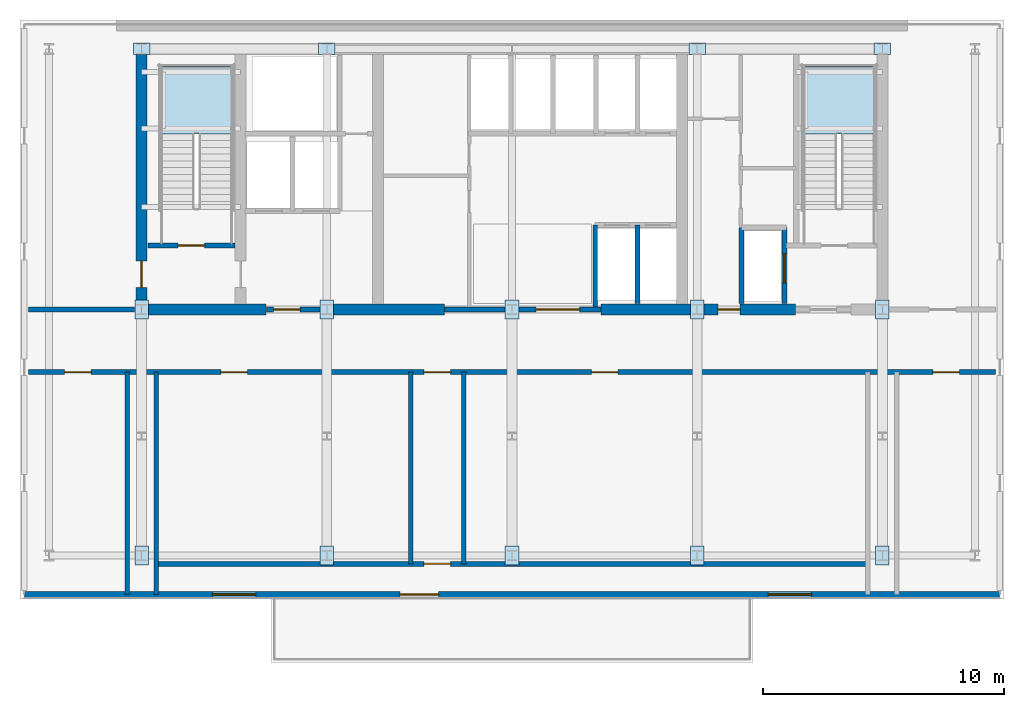
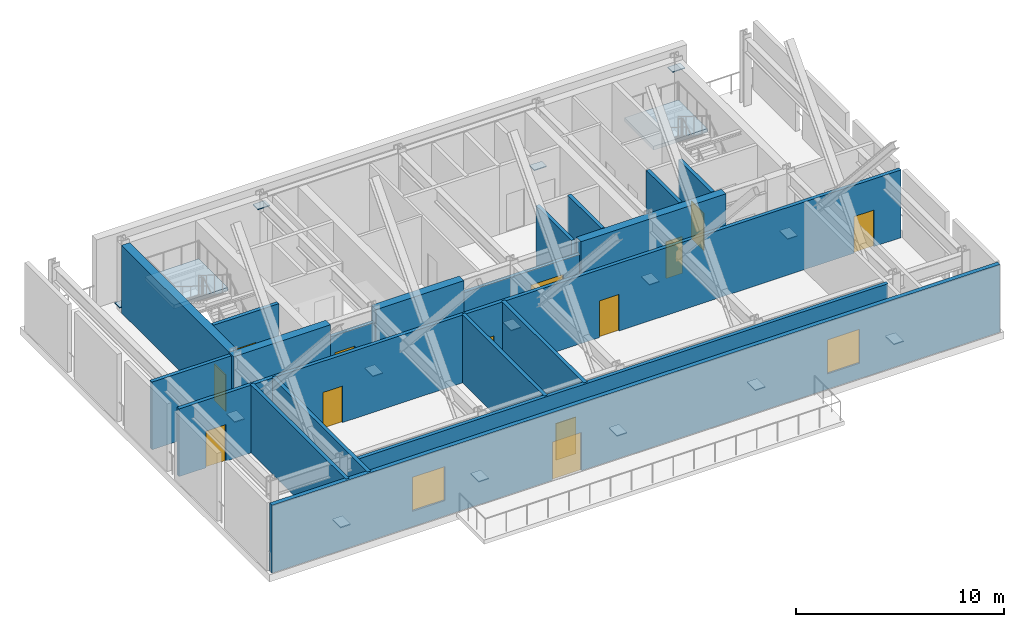
# One storey, part 2 of 8: 19 walls, 14 plates, 13 doors, 2 slabs, 2 windows, 15 openings, 2 elements without a shape of their own.
"""IFC4 building model written with IfcOpenShell, lengths in metres."""

import ifcopenshell
import ifcopenshell.guid

model = None  # the IFC model being written
_history = None  # IfcOwnerHistory: only IFC2X3 demands one
_inside = {}  # id of a spatial element -> (the spatial element, [elements in it])
_under = {}  # id of a project, library or spatial element -> (it, [spatial elements below it])
_declared = {}  # id of a project -> (the project, [libraries it declares])
_typed = {}  # id of a type object -> (the type object, [elements of that type])
_made_of = {}  # id of a material, layer set ... -> (it, [elements and type objects made of it])


def new_model(schema):
    """Start an empty IFC model of exactly this schema.

    Asked for "IFC4X3", IfcOpenShell would pick the latest addendum, in which some entities
    have other attributes; the version numbers below select the first issue.
    IFC2X3 requires an IfcOwnerHistory on every rooted entity: one is made here for all.
    """
    global model, _history
    if schema == "IFC4X3":
        model = ifcopenshell.file(schema_version=(4, 3, 0, 0))
    else:
        model = ifcopenshell.file(schema=schema)
    _inside.clear()
    _under.clear()
    _declared.clear()
    _typed.clear()
    _made_of.clear()
    _history = None
    if model.schema == "IFC2X3":
        org = make("IfcOrganization", Name="unknown")
        user = make(
            "IfcPersonAndOrganization",
            ThePerson=make("IfcPerson", FamilyName="unknown"),
            TheOrganization=org,
        )
        app = make(
            "IfcApplication",
            ApplicationDeveloper=org,
            Version="unknown",
            ApplicationFullName="unknown",
            ApplicationIdentifier="unknown",
        )
        _history = make(
            "IfcOwnerHistory",
            OwningUser=user,
            OwningApplication=app,
            ChangeAction="ADDED",
            CreationDate=0,
        )
    return model


def make(cls, **values):
    """One entity of the class cls with the attributes given. An attribute that is None is left unset."""
    return model.create_entity(
        cls, **{name: value for name, value in values.items() if value is not None}
    )


def rooted(cls, **values):
    """An entity with a GlobalId (a new one), such as an element, a storey or a relation."""
    return make(cls, GlobalId=ifcopenshell.guid.new(), OwnerHistory=_history, **values)


def si_unit(unit_type, name, prefix=None):
    """IfcSIUnit, for example si_unit("LENGTHUNIT", "METRE", prefix="MILLI")."""
    return make("IfcSIUnit", UnitType=unit_type, Prefix=prefix, Name=name)


def assignment(units):
    """IfcUnitAssignment: the units of a project."""
    return None if units is None else make("IfcUnitAssignment", Units=units)


def point(xyz):
    """IfcCartesianPoint."""
    return None if xyz is None else make("IfcCartesianPoint", Coordinates=xyz)


def direction(xyz):
    """IfcDirection."""
    return None if xyz is None else make("IfcDirection", DirectionRatios=xyz)


def frame(location, z_axis=None, x_axis=None):
    """IfcAxis2Placement3D, a coordinate frame: its origin and axes. An axis left out is left unset."""
    return make(
        "IfcAxis2Placement3D",
        Location=point(location),
        Axis=direction(z_axis),
        RefDirection=direction(x_axis),
    )


def frame_2d(location, x_axis=None):
    """IfcAxis2Placement2D, a coordinate frame in the plane: its origin and x axis."""
    return make(
        "IfcAxis2Placement2D", Location=point(location), RefDirection=direction(x_axis)
    )


def origin():
    """The frame at (0, 0, 0) with its axes left unset."""
    return frame((0.0, 0.0, 0.0))


def origin_2d():
    """The frame at (0, 0) in the plane with its x axis left unset."""
    return frame_2d((0.0, 0.0))


def place(relative_to, where):
    """IfcLocalPlacement: puts the frame where relative to a parent placement (None: the world)."""
    return make(
        "IfcLocalPlacement", PlacementRelTo=relative_to, RelativePlacement=where
    )


def context(
    kind, dimensions, precision=None, world=None, true_north=None, identifier=None
):
    """IfcGeometricRepresentationContext, for example the 3D "Model" context."""
    return make(
        "IfcGeometricRepresentationContext",
        ContextIdentifier=identifier,
        ContextType=kind,
        CoordinateSpaceDimension=dimensions,
        Precision=precision,
        WorldCoordinateSystem=world,
        TrueNorth=true_north,
    )


def subcontext(parent, identifier, kind, view, scale=None):
    """IfcGeometricRepresentationSubContext, for example "Body" below "Model"."""
    return make(
        "IfcGeometricRepresentationSubContext",
        ContextIdentifier=identifier,
        ContextType=kind,
        ParentContext=parent,
        TargetScale=scale,
        TargetView=view,
    )


def project(units=None, contexts=None):
    """IfcProject with its units and contexts."""
    return rooted(
        "IfcProject",
        Name="project",
        RepresentationContexts=contexts,
        UnitsInContext=assignment(units),
    )


def spatial(cls, under=None, at=None, **own):
    """A site, building, storey or space (cls), placed at a placement, below another one or the project."""
    s = rooted(cls, ObjectPlacement=at, **own)
    if under is not None:
        _under.setdefault(under.id(), (under, []))[1].append(s)
    return s


def polyline(points):
    """IfcPolyline through the points."""
    return make("IfcPolyline", Points=[point(p) for p in points])


def profile(cls, at=None, kind="AREA", **sizes):
    """A parametric profile (cls). Its sizes go by their IFC names, for example OverallWidth=200.0."""
    return make(cls, ProfileType=kind, Position=at, **sizes)


def rectangle(**sizes):
    """IfcRectangleProfileDef."""
    return profile("IfcRectangleProfileDef", **sizes)


def outline(outer, holes=None, kind="AREA"):
    """IfcArbitraryClosedProfileDef: a profile drawn as a closed curve; with holes, ...WithVoids."""
    if holes is None:
        return make("IfcArbitraryClosedProfileDef", ProfileType=kind, OuterCurve=outer)
    return make(
        "IfcArbitraryProfileDefWithVoids",
        ProfileType=kind,
        OuterCurve=outer,
        InnerCurves=holes,
    )


def extrude(swept, where, along, depth):
    """IfcExtrudedAreaSolid: the profile swept, set in the frame where, extruded along a direction by depth."""
    return make(
        "IfcExtrudedAreaSolid",
        SweptArea=swept,
        Position=where,
        ExtrudedDirection=direction(along),
        Depth=depth,
    )


def shape(context_of_items, identifier, shape_type, items):
    """IfcShapeRepresentation: the items that make up one representation, for example the "Body"."""
    return make(
        "IfcShapeRepresentation",
        ContextOfItems=context_of_items,
        RepresentationIdentifier=identifier,
        RepresentationType=shape_type,
        Items=items,
    )


def material(Name=None, Category=None):
    """IfcMaterial."""
    return make("IfcMaterial", Name=Name, Category=Category)


def layer(
    of_material, thickness, ventilated=None, Name=None, Category=None, Priority=None
):
    """IfcMaterialLayer: one layer of a wall or slab, of a material (None: an air gap)."""
    return make(
        "IfcMaterialLayer",
        Material=of_material,
        LayerThickness=thickness,
        IsVentilated=ventilated,
        Name=Name,
        Category=Category,
        Priority=Priority,
    )


def layer_set(layers, Name=None):
    """IfcMaterialLayerSet."""
    return make("IfcMaterialLayerSet", MaterialLayers=layers, LayerSetName=Name)


def made_of(thing, what):
    """Note that an element or type object is made of a material, layer set ...; save() writes the relation."""
    if what is not None:
        _made_of.setdefault(what.id(), (what, []))[1].append(thing)
    return thing


def type_object(cls, material=None, **own):
    """A type object (cls), such as IfcWallType, which elements share."""
    return made_of(rooted(cls, **own), material)


def element(
    cls,
    number,
    at=None,
    inside=None,
    cuts=None,
    type_object=None,
    material=None,
    context=None,
    identifier="Body",
    shape_type=None,
    held_by="IfcProductDefinitionShape",
    body=None,
    shapes=None,
    **own,
):
    """One element of the class cls, such as IfcWall. Its Tag is "e" and its number.

    at: its placement. inside: the storey or other place that contains it. cuts: it is an
    opening in that element (IfcRelVoidsElement). A single representation is given by context,
    identifier, shape_type and body (its items); several are given by shapes. held_by: the class
    of the entity that holds the representations. save() writes the other relations.
    """
    e = rooted(cls, Tag="e%d" % number, ObjectPlacement=at, **own)
    if body is not None:
        shapes = [shape(context, identifier, shape_type, body)]
    if shapes is not None:
        e.Representation = make(held_by, Representations=shapes)
    if inside is not None:
        _inside.setdefault(inside.id(), (inside, []))[1].append(e)
    if cuts is not None:
        rooted(
            "IfcRelVoidsElement", RelatingBuildingElement=cuts, RelatedOpeningElement=e
        )
    if type_object is not None:
        _typed.setdefault(type_object.id(), (type_object, []))[1].append(e)
    return made_of(e, material)


def fill(opening, filler):
    """IfcRelFillsElement: the door or window that sits in an opening."""
    return rooted(
        "IfcRelFillsElement",
        RelatingOpeningElement=opening,
        RelatedBuildingElement=filler,
    )


def aggregate(whole, parts):
    """IfcRelAggregates: a whole, such as a stair, and the parts it consists of."""
    return rooted("IfcRelAggregates", RelatingObject=whole, RelatedObjects=parts)


def save(model, path):
    """Write the relations noted so far, then the file.

    IfcRelAggregates (storeys below a building ...), IfcRelContainedInSpatialStructure (elements
    in a storey), IfcRelDefinesByType, IfcRelAssociatesMaterial and IfcRelDeclares: one each for
    every whole, place, type object, material and project.
    """
    for whole, parts in _under.values():
        aggregate(whole, parts)
    for where, things in _inside.values():
        rooted(
            "IfcRelContainedInSpatialStructure",
            RelatedElements=things,
            RelatingStructure=where,
        )
    for kind, things in _typed.values():
        rooted("IfcRelDefinesByType", RelatedObjects=things, RelatingType=kind)
    for what, things in _made_of.values():
        rooted("IfcRelAssociatesMaterial", RelatedObjects=things, RelatingMaterial=what)
    for by, libraries in _declared.values():
        rooted("IfcRelDeclares", RelatingContext=by, RelatedDefinitions=libraries)
    model.write(path)


model = new_model("IFC4")

# Units and contexts
model_context = context("Model", 3, precision=1e-05, world=origin(), true_north=direction((0.0, 1.0)))
body_context = subcontext(model_context, "Body", "Model", "MODEL_VIEW")
ifc_project = project(units=[si_unit("LENGTHUNIT", "METRE"), si_unit("AREAUNIT", "SQUARE_METRE"), si_unit("VOLUMEUNIT", "CUBIC_METRE"), si_unit("PLANEANGLEUNIT", "RADIAN"), si_unit("MASSUNIT", "GRAM", prefix="KILO")], contexts=[model_context])

# Site, building, storey
site_placement = place(None, origin())
site = spatial("IfcSite", under=ifc_project, at=site_placement, CompositionType="ELEMENT")
building_placement = place(site_placement, origin())
building = spatial("IfcBuilding", under=site, at=building_placement, Name="Yelkora Congress Tower", CompositionType="ELEMENT")
storey_placement = place(building_placement, frame((0.0, 0.0, 191.89990234375)))
storey = spatial("IfcBuildingStorey", under=building, at=storey_placement, Name="L53", CompositionType="ELEMENT", Elevation=191.89990234375)

# Plates
ifc_material_1 = material(Name="Steel S355J2", Category="steel")
ifc_layer_1 = layer(ifc_material_1, 0.050048828125)
ifc_layer_set_1 = layer_set([ifc_layer_1], Name="Steel S355J2")
plate_type_1 = type_object("IfcPlateType", Name="PLT-GUSSET-680x480", PredefinedType="USERDEFINED", material=ifc_layer_set_1)
for number, where, z_axis, x_axis, name in (
    (1, (23.0400390625, 46.199951171875, 0.3251953125), (0.0, 0.0, 1.0), (1.0, 0.0, 0.0), "N3 Core Strut Foot Gusset W"),
    (2, (30.719970703125, 46.199951171875, 3.4052734375), (0.0, 0.0, 1.0), (1.0, 0.0, 0.0), "N3 Core Strut Top Gusset W"),
    (3, (46.080078125, 46.199951171875, 0.3251953125), (0.0, 0.0, 1.0), (1.0, 0.0, 0.0), "N3 Core Strut Foot Gusset E"),
    (4, (53.760009765625, 46.199951171875, 3.4052734375), (0.0, 0.0, 1.0), (1.0, 0.0, 0.0), "N3 Core Strut Top Gusset E"),
):
    element("IfcPlate", number, at=place(storey_placement, frame(where, z_axis=z_axis, x_axis=x_axis)), inside=storey, type_object=plate_type_1, Name=name, ObjectType="GUSSET_PLATE", PredefinedType="USERDEFINED", context=body_context, shape_type="SweptSolid", body=[
        extrude(rectangle(XDim=0.679931640625, YDim=0.47998046875, at=origin_2d()), origin(), (0.0, 0.0, 1.0), 0.050048828125),
    ])
ifc_material_2 = material(Name="Steel S460M", Category="steel")
ifc_layer_2 = layer(ifc_material_2, 0.06005859375)
ifc_layer_set_2 = layer_set([ifc_layer_2], Name="Steel S460M")
plate_type_2 = type_object("IfcPlateType", Name="PLT-GUSSET-800x560", PredefinedType="USERDEFINED", material=ifc_layer_set_2)
for number, where, z_axis, x_axis, name in (
    (5, (23.0400390625, 35.39990234375, 0.219970703125), (0.0, 0.0, 1.0), (0.0, 1.0, 0.0), "N3 Outrigger End Gusset Plate 1CB"),
    (6, (23.0400390625, 25.199951171875, 0.219970703125), (0.0, 0.0, 1.0), (0.0, 1.0, 0.0), "N3 Outrigger End Gusset Plate 1SB"),
    (7, (30.719970703125, 35.39990234375, 0.219970703125), (0.0, 0.0, 1.0), (0.0, 1.0, 0.0), "N3 Outrigger End Gusset Plate 2CB"),
    (8, (30.719970703125, 25.199951171875, 0.219970703125), (0.0, 0.0, 1.0), (0.0, 1.0, 0.0), "N3 Outrigger End Gusset Plate 2SB"),
    (9, (38.39990234375, 35.39990234375, 0.219970703125), (0.0, 0.0, 1.0), (0.0, 1.0, 0.0), "N3 Outrigger End Gusset Plate 3CB"),
    (10, (38.39990234375, 25.199951171875, 0.219970703125), (0.0, 0.0, 1.0), (0.0, 1.0, 0.0), "N3 Outrigger End Gusset Plate 3SB"),
    (11, (46.080078125, 35.39990234375, 0.219970703125), (0.0, 0.0, 1.0), (0.0, 1.0, 0.0), "N3 Outrigger End Gusset Plate 4CB"),
    (12, (46.080078125, 25.199951171875, 0.219970703125), (0.0, 0.0, 1.0), (0.0, 1.0, 0.0), "N3 Outrigger End Gusset Plate 4SB"),
    (13, (53.760009765625, 35.39990234375, 0.219970703125), (0.0, 0.0, 1.0), (0.0, 1.0, 0.0), "N3 Outrigger End Gusset Plate 5CB"),
    (14, (53.760009765625, 25.199951171875, 0.219970703125), (0.0, 0.0, 1.0), (0.0, 1.0, 0.0), "N3 Outrigger End Gusset Plate 5SB"),
):
    element("IfcPlate", number, at=place(storey_placement, frame(where, z_axis=z_axis, x_axis=x_axis)), inside=storey, type_object=plate_type_2, Name=name, ObjectType="GUSSET_PLATE", PredefinedType="USERDEFINED", context=body_context, shape_type="SweptSolid", body=[
        extrude(rectangle(XDim=0.800048828125, YDim=0.56005859375, at=origin_2d()), origin(), (0.0, 0.0, 1.0), 0.06005859375),
    ])

# Stair, slab
ifc_material_3 = material(Name="Concrete C40/50", Category="concrete")
stair_type = type_object("IfcStairType", Name="STAIR-HT-1420-R24-175", PredefinedType="HALF_TURN_STAIR", material=ifc_material_3)
stair_1_placement = place(storey_placement, origin())
stair_1 = element("IfcStair", 15, at=stair_1_placement, inside=storey, type_object=stair_type, Name="West Core Protected Exit Stair ST-01 (L53)", PredefinedType="HALF_TURN_STAIR")
ifc_layer_3 = layer(ifc_material_3, 0.219970703125)
ifc_layer_set_3 = layer_set([ifc_layer_3], Name="Concrete C40/50")
slab_type = type_object("IfcSlabType", Name="SLAB-LANDING-220", PredefinedType="LANDING", material=ifc_layer_set_3)
slab_1_placement = place(storey_placement, frame((0.0, 0.0, 1.880126953125)))
slab_1 = element("IfcSlab", 16, at=slab_1_placement, type_object=slab_type, Name="ST-01 L53 Half Landing 1", PredefinedType="LANDING", context=body_context, shape_type="SweptSolid", body=[
    extrude(outline(polyline([(26.820068359375, 42.679931640625), (26.820068359375, 45.469970703125), (23.820068359375, 45.469970703125), (23.820068359375, 42.679931640625), (26.820068359375, 42.679931640625)])), origin(), (0.0, 0.0, 1.0), 0.219970703125),
])
aggregate(stair_1, [slab_1])

stair_2_placement = place(storey_placement, origin())
stair_2 = element("IfcStair", 17, at=stair_2_placement, inside=storey, type_object=stair_type, Name="East Core Protected Exit Stair ST-02 (L53)", PredefinedType="HALF_TURN_STAIR")
slab_2_placement = place(storey_placement, frame((0.0, 0.0, 1.880126953125)))
slab_2 = element("IfcSlab", 18, at=slab_2_placement, type_object=slab_type, Name="ST-02 L53 Half Landing 1", PredefinedType="LANDING", context=body_context, shape_type="SweptSolid", body=[
    extrude(outline(polyline([(53.4599609375, 42.679931640625), (53.4599609375, 45.469970703125), (50.4599609375, 45.469970703125), (50.4599609375, 42.679931640625), (53.4599609375, 42.679931640625)])), origin(), (0.0, 0.0, 1.0), 0.219970703125),
])
aggregate(stair_2, [slab_2])

# Walls
ifc_material_4 = material(Name="Concrete C60/75", Category="concrete")
ifc_layer_4 = layer(ifc_material_4, 0.449951171875)
ifc_layer_set_4 = layer_set([ifc_layer_4], Name="Concrete C60/75")
wall_type_1 = type_object("IfcWallType", Name="WALL-CORE-INT-450", PredefinedType="SHEAR", material=ifc_layer_set_4)
wall_1_placement = place(storey_placement, frame((22.81494140625, 35.39990234375, 0.0), z_axis=(0.0, 0.0, 1.0), x_axis=(1.0, 0.0, 0.0)))
element("IfcWall", 19, at=wall_1_placement, inside=storey, type_object=wall_type_1, Name="L53 Rear Core South-West Shear Wall", PredefinedType="SHEAR", context=body_context, shape_type="SweptSolid", body=[
    extrude(rectangle(XDim=5.385009765625, YDim=0.449951171875, at=frame_2d((2.6923828125, 0.0))), origin(), (0.0, 0.0, 1.0), 3.97998046875),
])
wall_2_placement = place(storey_placement, frame((30.719970703125, 35.39990234375, 0.0), z_axis=(0.0, 0.0, 1.0), x_axis=(1.0, 0.0, 0.0)))
element("IfcWall", 20, at=wall_2_placement, inside=storey, type_object=wall_type_1, Name="L53 Rear Core South-Center Shear Pier", PredefinedType="SHEAR", context=body_context, shape_type="SweptSolid", body=[
    extrude(rectangle(XDim=4.880126953125, YDim=0.449951171875, at=frame_2d((2.43994140625, 0.0))), origin(), (0.0, 0.0, 1.0), 3.97998046875),
])

# Wall, opening, door
wall_3_placement = place(storey_placement, frame((42.10009765625, 35.39990234375, 0.0), z_axis=(0.0, 0.0, 1.0), x_axis=(1.0, 0.0, 0.0)))
wall_3 = element("IfcWall", 21, at=wall_3_placement, inside=storey, type_object=wall_type_1, Name="L53 Rear Core South-East Shear Wall A", PredefinedType="SHEAR", context=body_context, shape_type="SweptSolid", body=[
    extrude(rectangle(XDim=8.0498046875, YDim=0.449951171875, at=frame_2d((4.02490234375, 0.0))), origin(), (0.0, 0.0, 1.0), 3.97998046875),
])
opening_1_placement = place(wall_3_placement, frame((4.85009765625, 0.0, 0.0)))
opening_1 = element("IfcOpeningElement", 22, at=opening_1_placement, cuts=wall_3, Name="Opening DR-090F6", PredefinedType="OPENING", context=body_context, shape_type="SweptSolid", body=[
    extrude(rectangle(XDim=0.89990234375, YDim=2.14990234375, at=frame_2d((0.449951171875, 1.074951171875))), frame((0.0, 0.23486328125, 0.0), z_axis=(0.0, -1.0, 0.0), x_axis=(1.0, 0.0, 0.0)), (0.0, 0.0, 1.0), 0.469970703125),
])
ifc_material_5 = material(Name="Painted steel riser fire door leaf", Category="steel")
door_type_1 = type_object("IfcDoorType", Name="DOOR-FD60-900", OperationType="NOTDEFINED", PredefinedType="DOOR", material=ifc_material_5)
door_1_placement = place(opening_1_placement, origin())
door_1 = element("IfcDoor", 23, at=door_1_placement, inside=storey, type_object=door_type_1, Name="L53 Core Washroom Lobby Door", OperationType="SINGLE_SWING_RIGHT", OverallHeight=2.14990234375, OverallWidth=0.89990234375, PredefinedType="DOOR", context=body_context, shape_type="SweptSolid", body=[
    extrude(rectangle(XDim=0.89990234375, YDim=2.14990234375, at=frame_2d((0.449951171875, 1.074951171875))), frame((0.0, 0.02490234375, 0.0), z_axis=(0.0, -1.0, 0.0), x_axis=(1.0, 0.0, 0.0)), (0.0, 0.0, 1.0), 0.050048828125),
])
fill(opening_1, door_1)

wall_4_placement = place(storey_placement, frame((23.0400390625, 35.625, 0.0), z_axis=(0.0, 0.0, 1.0), x_axis=(0.0, 1.0, 0.0)))
wall_4 = element("IfcWall", 24, at=wall_4_placement, inside=storey, type_object=wall_type_1, Name="L53 Rear Core Cross Shear Wall W", PredefinedType="SHEAR", context=body_context, shape_type="SweptSolid", body=[
    extrude(rectangle(XDim=10.35009765625, YDim=0.449951171875, at=frame_2d((5.175048828125, 0.0))), origin(), (0.0, 0.0, 1.0), 3.97998046875),
])
opening_2_placement = place(wall_4_placement, frame((0.675048828125, 0.0, 0.0)))
opening_2 = element("IfcOpeningElement", 25, at=opening_2_placement, cuts=wall_4, Name="Opening DR-110F9", PredefinedType="OPENING", context=body_context, shape_type="SweptSolid", body=[
    extrude(rectangle(XDim=1.10009765625, YDim=2.14990234375, at=frame_2d((0.550048828125, 1.074951171875))), frame((0.0, 0.23486328125, 0.0), z_axis=(0.0, -1.0, 0.0), x_axis=(1.0, 0.0, 0.0)), (0.0, 0.0, 1.0), 0.469970703125),
])
ifc_material_6 = material(Name="Galvanised steel fire door leaf", Category="steel")
door_type_2 = type_object("IfcDoorType", Name="DOOR-FD90-1100", OperationType="NOTDEFINED", PredefinedType="DOOR", material=ifc_material_6)
door_2_placement = place(opening_2_placement, origin())
door_2 = element("IfcDoor", 26, at=door_2_placement, inside=storey, type_object=door_type_2, Name="L53 Area of Refuge Direct Stair-Lobby Door", OperationType="SINGLE_SWING_LEFT", OverallHeight=2.14990234375, OverallWidth=1.10009765625, PredefinedType="DOOR", context=body_context, shape_type="SweptSolid", body=[
    extrude(rectangle(XDim=1.10009765625, YDim=2.14990234375, at=frame_2d((0.550048828125, 1.074951171875))), frame((0.0, 0.02490234375, 0.0), z_axis=(0.0, -1.0, 0.0), x_axis=(1.0, 0.0, 0.0)), (0.0, 0.0, 1.0), 0.050048828125),
])
fill(opening_2, door_2)

# Wall, openings, door, windows
ifc_layer_5 = layer(ifc_material_3, 0.239990234375)
ifc_layer_set_5 = layer_set([ifc_layer_5], Name="Concrete C40/50")
wall_type_2 = type_object("IfcWallType", Name="WALL-EXT-LIMESTONE-240", PredefinedType="SOLIDWALL", material=ifc_layer_set_5)
wall_5_placement = place(storey_placement, frame((18.179931640625, 23.580078125, 0.0), z_axis=(0.0, 0.0, 1.0), x_axis=(1.0, 0.0, 0.0)))
wall_5 = element("IfcWall", 27, at=wall_5_placement, inside=storey, type_object=wall_type_2, Name="L53 Sky Garden Portal Wall", PredefinedType="SOLIDWALL", context=body_context, shape_type="SweptSolid", body=[
    extrude(rectangle(XDim=40.440185546875, YDim=0.239990234375, at=frame_2d((20.22021484375, 0.0))), origin(), (0.0, 0.0, 1.0), 3.97998046875),
])
opening_3_placement = place(wall_5_placement, frame((15.580078125, 0.0, 0.0)))
opening_3 = element("IfcOpeningElement", 28, at=opening_3_placement, cuts=wall_5, Name="Opening DE-160T", PredefinedType="OPENING", context=body_context, shape_type="SweptSolid", body=[
    extrude(rectangle(XDim=1.60009765625, YDim=2.25, at=frame_2d((0.800048828125, 1.125))), frame((0.0, 0.1298828125, 0.0), z_axis=(0.0, -1.0, 0.0), x_axis=(1.0, 0.0, 0.0)), (0.0, 0.0, 1.0), 0.260009765625),
])
opening_4_placement = place(wall_5_placement, frame((7.800048828125, 0.0, 0.89990234375)))
opening_4 = element("IfcOpeningElement", 29, at=opening_4_placement, cuts=wall_5, Name="Opening WN-18", PredefinedType="OPENING", context=body_context, shape_type="SweptSolid", body=[
    extrude(rectangle(XDim=1.800048828125, YDim=2.0, at=frame_2d((0.89990234375, 1.0))), frame((0.0, 0.1298828125, 0.0), z_axis=(0.0, -1.0, 0.0), x_axis=(1.0, 0.0, 0.0)), (0.0, 0.0, 1.0), 0.260009765625),
])
opening_5_placement = place(wall_5_placement, frame((30.840087890625, 0.0, 0.89990234375)))
opening_5 = element("IfcOpeningElement", 30, at=opening_5_placement, cuts=wall_5, Name="Opening WN-18", PredefinedType="OPENING", context=body_context, shape_type="SweptSolid", body=[
    extrude(rectangle(XDim=1.800048828125, YDim=2.0, at=frame_2d((0.89990234375, 1.0))), frame((0.0, 0.1298828125, 0.0), z_axis=(0.0, -1.0, 0.0), x_axis=(1.0, 0.0, 0.0)), (0.0, 0.0, 1.0), 0.260009765625),
])
ifc_material_7 = material(Name="Thermally broken aluminium glazed terrace door", Category="aluminium")
door_type_3 = type_object("IfcDoorType", Name="DOOR-EXT-TERRACE-1600", OperationType="DOUBLE_DOOR_SINGLE_SWING", PredefinedType="DOOR", material=ifc_material_7)
door_3_placement = place(opening_3_placement, frame((1.60009765625, 0.0, 0.0), z_axis=(0.0, 0.0, 1.0), x_axis=(-1.0, 0.0, 0.0)))
door_3 = element("IfcDoor", 31, at=door_3_placement, inside=storey, type_object=door_type_3, Name="L53 Sky Garden Terrace Access Door", OperationType="SINGLE_SWING_LEFT", OverallHeight=2.25, OverallWidth=1.60009765625, PredefinedType="DOOR", context=body_context, shape_type="SweptSolid", body=[
    extrude(rectangle(XDim=1.60009765625, YDim=2.25, at=frame_2d((0.800048828125, 1.125))), frame((0.0, 0.02490234375, 0.0), z_axis=(0.0, -1.0, 0.0), x_axis=(1.0, 0.0, 0.0)), (0.0, 0.0, 1.0), 0.050048828125),
])
fill(opening_3, door_3)
ifc_material_8 = material(Name="Thermally broken aluminium low-E window", Category="aluminium")
window_type = type_object("IfcWindowType", Name="WIN-POD-1800x2000", PartitioningType="SINGLE_PANEL", PredefinedType="WINDOW", material=ifc_material_8)
window_1_placement = place(opening_4_placement, origin())
window_1 = element("IfcWindow", 32, at=window_1_placement, inside=storey, type_object=window_type, Name="L53 Plant Acoustic Louvred Window 1", OverallHeight=2.0, OverallWidth=1.800048828125, PartitioningType="SINGLE_PANEL", PredefinedType="WINDOW", context=body_context, shape_type="SweptSolid", body=[
    extrude(rectangle(XDim=1.800048828125, YDim=2.0, at=frame_2d((0.89990234375, 1.0))), frame((0.0, 0.030029296875, 0.0), z_axis=(0.0, -1.0, 0.0), x_axis=(1.0, 0.0, 0.0)), (0.0, 0.0, 1.0), 0.06005859375),
])
fill(opening_4, window_1)
window_2_placement = place(opening_5_placement, origin())
window_2 = element("IfcWindow", 33, at=window_2_placement, inside=storey, type_object=window_type, Name="L53 Plant Acoustic Louvred Window 2", OverallHeight=2.0, OverallWidth=1.800048828125, PartitioningType="SINGLE_PANEL", PredefinedType="WINDOW", context=body_context, shape_type="SweptSolid", body=[
    extrude(rectangle(XDim=1.800048828125, YDim=2.0, at=frame_2d((0.89990234375, 1.0))), frame((0.0, 0.030029296875, 0.0), z_axis=(0.0, -1.0, 0.0), x_axis=(1.0, 0.0, 0.0)), (0.0, 0.0, 1.0), 0.06005859375),
])
fill(opening_5, window_2)

# Wall, opening, door
ifc_material_9 = material(Name="Autoclaved aerated concrete blockwork", Category="masonry")
ifc_layer_6 = layer(ifc_material_9, 0.199951171875)
ifc_layer_set_6 = layer_set([ifc_layer_6], Name="Autoclaved aerated concrete blockwork")
wall_type_3 = type_object("IfcWallType", Name="WALL-INT-200-R120", PredefinedType="PARTITIONING", material=ifc_layer_set_6)
wall_6_placement = place(storey_placement, frame((23.300048828125, 38.050048828125, 0.0), z_axis=(0.0, 0.0, 1.0), x_axis=(1.0, 0.0, 0.0)))
wall_6 = element("IfcWall", 34, at=wall_6_placement, inside=storey, type_object=wall_type_3, Name="L53 Stair ST-01 Enclosure Wall", PredefinedType="PARTITIONING", context=body_context, shape_type="SweptSolid", body=[
    extrude(rectangle(XDim=3.619873046875, YDim=0.199951171875, at=frame_2d((1.81005859375, 0.0))), origin(), (0.0, 0.0, 1.0), 3.97998046875),
])
opening_6_placement = place(wall_6_placement, frame((1.260009765625, 0.0, 0.0)))
opening_6 = element("IfcOpeningElement", 35, at=opening_6_placement, cuts=wall_6, Name="Opening DR-110F9", PredefinedType="OPENING", context=body_context, shape_type="SweptSolid", body=[
    extrude(rectangle(XDim=1.10009765625, YDim=2.14990234375, at=frame_2d((0.550048828125, 1.074951171875))), frame((0.0, 0.10986328125, 0.0), z_axis=(0.0, -1.0, 0.0), x_axis=(1.0, 0.0, 0.0)), (0.0, 0.0, 1.0), 0.219970703125),
])
door_4_placement = place(opening_6_placement, origin())
door_4 = element("IfcDoor", 36, at=door_4_placement, inside=storey, type_object=door_type_2, Name="L53 Stair ST-01 Entry Door", OperationType="SINGLE_SWING_LEFT", OverallHeight=2.14990234375, OverallWidth=1.10009765625, PredefinedType="DOOR", context=body_context, shape_type="SweptSolid", body=[
    extrude(rectangle(XDim=1.10009765625, YDim=2.14990234375, at=frame_2d((0.550048828125, 1.074951171875))), frame((0.0, 0.02490234375, 0.0), z_axis=(0.0, -1.0, 0.0), x_axis=(1.0, 0.0, 0.0)), (0.0, 0.0, 1.0), 0.050048828125),
])
fill(opening_6, door_4)

wall_7_placement = place(storey_placement, frame((28.219970703125, 35.39990234375, 0.0), z_axis=(0.0, 0.0, 1.0), x_axis=(1.0, 0.0, 0.0)))
wall_7 = element("IfcWall", 37, at=wall_7_placement, inside=storey, type_object=wall_type_3, Name="L53 Firefighting Lobby South Wall", PredefinedType="PARTITIONING", context=body_context, shape_type="SweptSolid", body=[
    extrude(rectangle(XDim=2.5, YDim=0.199951171875, at=frame_2d((1.25, 0.0))), origin(), (0.0, 0.0, 1.0), 3.1611328125),
])
opening_7_placement = place(wall_7_placement, frame((0.300048828125, 0.0, 0.0)))
opening_7 = element("IfcOpeningElement", 38, at=opening_7_placement, cuts=wall_7, Name="Opening DR-110F9", PredefinedType="OPENING", context=body_context, shape_type="SweptSolid", body=[
    extrude(rectangle(XDim=1.10009765625, YDim=2.14990234375, at=frame_2d((0.550048828125, 1.074951171875))), frame((0.0, 0.10986328125, 0.0), z_axis=(0.0, -1.0, 0.0), x_axis=(1.0, 0.0, 0.0)), (0.0, 0.0, 1.0), 0.219970703125),
])
door_5_placement = place(opening_7_placement, origin())
door_5 = element("IfcDoor", 39, at=door_5_placement, inside=storey, type_object=door_type_2, Name="L53 Firefighting Lobby Corridor Door", OperationType="SINGLE_SWING_RIGHT", OverallHeight=2.14990234375, OverallWidth=1.10009765625, PredefinedType="DOOR", context=body_context, shape_type="SweptSolid", body=[
    extrude(rectangle(XDim=1.10009765625, YDim=2.14990234375, at=frame_2d((0.550048828125, 1.074951171875))), frame((0.0, 0.02490234375, 0.0), z_axis=(0.0, -1.0, 0.0), x_axis=(1.0, 0.0, 0.0)), (0.0, 0.0, 1.0), 0.050048828125),
])
fill(opening_7, door_5)

wall_8_placement = place(storey_placement, frame((35.60009765625, 35.39990234375, 0.0), z_axis=(0.0, 0.0, 1.0), x_axis=(1.0, 0.0, 0.0)))
wall_8 = element("IfcWall", 40, at=wall_8_placement, inside=storey, type_object=wall_type_3, Name="L53 Main Lift Lobby South Portal Wall", PredefinedType="PARTITIONING", context=body_context, shape_type="SweptSolid", body=[
    extrude(rectangle(XDim=6.5, YDim=0.199951171875, at=frame_2d((3.25, 0.0))), origin(), (0.0, 0.0, 1.0), 3.1611328125),
])
opening_8_placement = place(wall_8_placement, frame((3.800048828125, 0.0, 0.0)))
opening_8 = element("IfcOpeningElement", 41, at=opening_8_placement, cuts=wall_8, Name="Opening DR-180D", PredefinedType="OPENING", context=body_context, shape_type="SweptSolid", body=[
    extrude(rectangle(XDim=1.800048828125, YDim=2.300048828125, at=frame_2d((0.89990234375, 1.14990234375))), frame((0.0, 0.10986328125, 0.0), z_axis=(0.0, -1.0, 0.0), x_axis=(1.0, 0.0, 0.0)), (0.0, 0.0, 1.0), 0.219970703125),
])
ifc_material_10 = material(Name="Acoustic double congress hall doors", Category="wood")
door_type_4 = type_object("IfcDoorType", Name="DOOR-DBL-1800", OperationType="DOUBLE_DOOR_SINGLE_SWING", PredefinedType="DOOR", material=ifc_material_10)
door_6_placement = place(opening_8_placement, origin())
door_6 = element("IfcDoor", 42, at=door_6_placement, inside=storey, type_object=door_type_4, Name="L53 Main Lift Lobby Portal Door", OperationType="DOUBLE_DOOR_SINGLE_SWING", OverallHeight=2.300048828125, OverallWidth=1.800048828125, PredefinedType="DOOR", context=body_context, shape_type="SweptSolid", body=[
    extrude(rectangle(XDim=1.800048828125, YDim=2.300048828125, at=frame_2d((0.89990234375, 1.14990234375))), frame((0.0, 0.02490234375, 0.0), z_axis=(0.0, -1.0, 0.0), x_axis=(1.0, 0.0, 0.0)), (0.0, 0.0, 1.0), 0.050048828125),
])
fill(opening_8, door_6)

# Walls
wall_9_placement = place(storey_placement, frame((43.60009765625, 35.64990234375, 0.0), z_axis=(0.0, 0.0, 1.0), x_axis=(0.0, 1.0, 0.0)))
element("IfcWall", 43, at=wall_9_placement, inside=storey, type_object=wall_type_3, Name="L53 Partition Wall 15", PredefinedType="PARTITIONING", context=body_context, shape_type="SweptSolid", body=[
    extrude(rectangle(XDim=3.25, YDim=0.199951171875, at=frame_2d((1.625, 0.0))), origin(), (0.0, 0.0, 1.0), 3.97998046875),
])
wall_10_placement = place(storey_placement, frame((41.85009765625, 35.5, 0.0), z_axis=(0.0, 0.0, 1.0), x_axis=(0.0, 1.0, 0.0)))
element("IfcWall", 44, at=wall_10_placement, inside=storey, type_object=wall_type_3, Name="L53 Partition Wall 17", PredefinedType="PARTITIONING", context=body_context, shape_type="SweptSolid", body=[
    extrude(rectangle(XDim=3.39990234375, YDim=0.199951171875, at=frame_2d((1.699951171875, 0.0))), origin(), (0.0, 0.0, 1.0), 3.97998046875),
])

# Wall, opening, door
wall_11_placement = place(storey_placement, frame((49.699951171875, 35.64990234375, 0.0), z_axis=(0.0, 0.0, 1.0), x_axis=(0.0, 1.0, 0.0)))
wall_11 = element("IfcWall", 45, at=wall_11_placement, inside=storey, type_object=wall_type_3, Name="L53 Partition Wall 21", PredefinedType="PARTITIONING", context=body_context, shape_type="SweptSolid", body=[
    extrude(rectangle(XDim=3.150146484375, YDim=0.199951171875, at=frame_2d((1.5751953125, 0.0))), origin(), (0.0, 0.0, 1.0), 3.97998046875),
])
opening_9_placement = place(wall_11_placement, frame((0.85009765625, 0.0, 0.0)))
opening_9 = element("IfcOpeningElement", 46, at=opening_9_placement, cuts=wall_11, Name="Opening LD-SV12", PredefinedType="OPENING", context=body_context, shape_type="SweptSolid", body=[
    extrude(rectangle(XDim=1.199951171875, YDim=2.199951171875, at=frame_2d((0.60009765625, 1.10009765625))), frame((0.0, 0.10986328125, 0.0), z_axis=(0.0, -1.0, 0.0), x_axis=(1.0, 0.0, 0.0)), (0.0, 0.0, 1.0), 0.219970703125),
])
ifc_material_11 = material(Name="Heavy-duty stainless steel landing door", Category="steel")
door_type_5 = type_object("IfcDoorType", Name="DOOR-LIFT-SRV-1200", OperationType="DOUBLE_DOOR_SLIDING", PredefinedType="DOOR", material=ifc_material_11)
door_7_placement = place(opening_9_placement, origin())
door_7 = element("IfcDoor", 47, at=door_7_placement, inside=storey, type_object=door_type_5, Name="Service Lift Landing Door LF-SV1 L53", OperationType="DOUBLE_DOOR_SLIDING", OverallHeight=2.199951171875, OverallWidth=1.199951171875, PredefinedType="DOOR", context=body_context, shape_type="SweptSolid", body=[
    extrude(rectangle(XDim=1.199951171875, YDim=2.199951171875, at=frame_2d((0.60009765625, 1.10009765625))), frame((0.0, 0.02490234375, 0.0), z_axis=(0.0, -1.0, 0.0), x_axis=(1.0, 0.0, 0.0)), (0.0, 0.0, 1.0), 0.050048828125),
])
fill(opening_9, door_7)

# Walls
wall_12_placement = place(storey_placement, frame((47.919921875, 35.64990234375, 0.0), z_axis=(0.0, 0.0, 1.0), x_axis=(0.0, 1.0, 0.0)))
element("IfcWall", 48, at=wall_12_placement, inside=storey, type_object=wall_type_3, Name="L53 Partition Wall 22", PredefinedType="PARTITIONING", context=body_context, shape_type="SweptSolid", body=[
    extrude(rectangle(XDim=3.150146484375, YDim=0.199951171875, at=frame_2d((1.5751953125, 0.0))), origin(), (0.0, 0.0, 1.0), 3.97998046875),
])
wall_13_placement = place(storey_placement, frame((18.35009765625, 35.39990234375, 0.0), z_axis=(0.0, 0.0, 1.0), x_axis=(1.0, 0.0, 0.0)))
element("IfcWall", 49, at=wall_13_placement, inside=storey, type_object=wall_type_3, Name="L53 Partition Wall 27", PredefinedType="PARTITIONING", context=body_context, shape_type="SweptSolid", body=[
    extrude(rectangle(XDim=4.39990234375, YDim=0.199951171875, at=frame_2d((2.199951171875, 0.0))), origin(), (0.0, 0.0, 1.0), 3.97998046875),
])
for number, where, z_axis, x_axis, name in (
    (50, (22.449951171875, 23.580078125, 0.0), (0.0, 0.0, 1.0), (0.0, 1.0, 0.0), "L53 Partition Wall 29"),
    (51, (23.64990234375, 23.580078125, 0.0), (0.0, 0.0, 1.0), (0.0, 1.0, 0.0), "L53 Partition Wall 30"),
):
    element("IfcWall", number, at=place(storey_placement, frame(where, z_axis=z_axis, x_axis=x_axis)), inside=storey, type_object=wall_type_3, Name=name, PredefinedType="PARTITIONING", context=body_context, shape_type="SweptSolid", body=[
        extrude(rectangle(XDim=9.219970703125, YDim=0.199951171875, at=frame_2d((4.60986328125, 0.0))), origin(), (0.0, 0.0, 1.0), 3.97998046875),
    ])
for number, where, z_axis, x_axis, name in (
    (52, (34.199951171875, 24.85009765625, 0.0), (0.0, 0.0, 1.0), (0.0, 1.0, 0.0), "L53 Partition Wall 33"),
    (53, (36.39990234375, 24.85009765625, 0.0), (0.0, 0.0, 1.0), (0.0, 1.0, 0.0), "L53 Partition Wall 34"),
):
    element("IfcWall", number, at=place(storey_placement, frame(where, z_axis=z_axis, x_axis=x_axis)), inside=storey, type_object=wall_type_3, Name=name, PredefinedType="PARTITIONING", context=body_context, shape_type="SweptSolid", body=[
        extrude(rectangle(XDim=7.949951171875, YDim=0.199951171875, at=frame_2d((3.97509765625, 0.0))), origin(), (0.0, 0.0, 1.0), 3.97998046875),
    ])

# Wall, openings, doors
wall_14_placement = place(storey_placement, frame((18.35009765625, 32.800048828125, 0.0), z_axis=(0.0, 0.0, 1.0), x_axis=(1.0, 0.0, 0.0)))
wall_14 = element("IfcWall", 54, at=wall_14_placement, inside=storey, type_object=wall_type_3, Name="L53 Partition Wall 36", PredefinedType="PARTITIONING", context=body_context, shape_type="SweptSolid", body=[
    extrude(rectangle(XDim=40.099853515625, YDim=0.199951171875, at=frame_2d((20.0498046875, 0.0))), origin(), (0.0, 0.0, 1.0), 3.97998046875),
])
opening_10_placement = place(wall_14_placement, frame((1.5, 0.0, 0.0)))
opening_10 = element("IfcOpeningElement", 55, at=opening_10_placement, cuts=wall_14, Name="Opening DR-110F9", PredefinedType="OPENING", context=body_context, shape_type="SweptSolid", body=[
    extrude(rectangle(XDim=1.10009765625, YDim=2.14990234375, at=frame_2d((0.550048828125, 1.074951171875))), frame((0.0, 0.10986328125, 0.0), z_axis=(0.0, -1.0, 0.0), x_axis=(1.0, 0.0, 0.0)), (0.0, 0.0, 1.0), 0.219970703125),
])
opening_11_placement = place(wall_14_placement, frame((7.97998046875, 0.0, 0.0)))
opening_11 = element("IfcOpeningElement", 56, at=opening_11_placement, cuts=wall_14, Name="Opening DR-110F9", PredefinedType="OPENING", context=body_context, shape_type="SweptSolid", body=[
    extrude(rectangle(XDim=1.10009765625, YDim=2.14990234375, at=frame_2d((0.550048828125, 1.074951171875))), frame((0.0, 0.10986328125, 0.0), z_axis=(0.0, -1.0, 0.0), x_axis=(1.0, 0.0, 0.0)), (0.0, 0.0, 1.0), 0.219970703125),
])
opening_12_placement = place(wall_14_placement, frame((16.39990234375, 0.0, 0.0)))
opening_12 = element("IfcOpeningElement", 57, at=opening_12_placement, cuts=wall_14, Name="Opening DR-110F6", PredefinedType="OPENING", context=body_context, shape_type="SweptSolid", body=[
    extrude(rectangle(XDim=1.10009765625, YDim=2.14990234375, at=frame_2d((0.550048828125, 1.074951171875))), frame((0.0, 0.10986328125, 0.0), z_axis=(0.0, -1.0, 0.0), x_axis=(1.0, 0.0, 0.0)), (0.0, 0.0, 1.0), 0.219970703125),
])
opening_13_placement = place(wall_14_placement, frame((23.340087890625, 0.0, 0.0)))
opening_13 = element("IfcOpeningElement", 58, at=opening_13_placement, cuts=wall_14, Name="Opening DR-110F9", PredefinedType="OPENING", context=body_context, shape_type="SweptSolid", body=[
    extrude(rectangle(XDim=1.10009765625, YDim=2.14990234375, at=frame_2d((0.550048828125, 1.074951171875))), frame((0.0, 0.10986328125, 0.0), z_axis=(0.0, -1.0, 0.0), x_axis=(1.0, 0.0, 0.0)), (0.0, 0.0, 1.0), 0.219970703125),
])
opening_14_placement = place(wall_14_placement, frame((37.5, 0.0, 0.0)))
opening_14 = element("IfcOpeningElement", 59, at=opening_14_placement, cuts=wall_14, Name="Opening DR-110F9", PredefinedType="OPENING", context=body_context, shape_type="SweptSolid", body=[
    extrude(rectangle(XDim=1.10009765625, YDim=2.14990234375, at=frame_2d((0.550048828125, 1.074951171875))), frame((0.0, 0.10986328125, 0.0), z_axis=(0.0, -1.0, 0.0), x_axis=(1.0, 0.0, 0.0)), (0.0, 0.0, 1.0), 0.219970703125),
])
ifc_material_12 = material(Name="Fire-rated composite timber-steel leaf", Category="steel")
door_type_6 = type_object("IfcDoorType", Name="DOOR-FD60-1100", OperationType="NOTDEFINED", PredefinedType="DOOR", material=ifc_material_12)
door_8_placement = place(opening_12_placement, origin())
door_8 = element("IfcDoor", 60, at=door_8_placement, inside=storey, type_object=door_type_6, Name="L53 Interior Door 23", OperationType="SINGLE_SWING_LEFT", OverallHeight=2.14990234375, OverallWidth=1.10009765625, PredefinedType="DOOR", context=body_context, shape_type="SweptSolid", body=[
    extrude(rectangle(XDim=1.10009765625, YDim=2.14990234375, at=frame_2d((0.550048828125, 1.074951171875))), frame((0.0, 0.02490234375, 0.0), z_axis=(0.0, -1.0, 0.0), x_axis=(1.0, 0.0, 0.0)), (0.0, 0.0, 1.0), 0.050048828125),
])
fill(opening_12, door_8)
door_9_placement = place(opening_10_placement, origin())
door_9 = element("IfcDoor", 61, at=door_9_placement, inside=storey, type_object=door_type_2, Name="L53 Interior Door 21", OperationType="SINGLE_SWING_LEFT", OverallHeight=2.14990234375, OverallWidth=1.10009765625, PredefinedType="DOOR", context=body_context, shape_type="SweptSolid", body=[
    extrude(rectangle(XDim=1.10009765625, YDim=2.14990234375, at=frame_2d((0.550048828125, 1.074951171875))), frame((0.0, 0.02490234375, 0.0), z_axis=(0.0, -1.0, 0.0), x_axis=(1.0, 0.0, 0.0)), (0.0, 0.0, 1.0), 0.050048828125),
])
fill(opening_10, door_9)
door_10_placement = place(opening_11_placement, origin())
door_10 = element("IfcDoor", 62, at=door_10_placement, inside=storey, type_object=door_type_2, Name="L53 Interior Door 22", OperationType="SINGLE_SWING_RIGHT", OverallHeight=2.14990234375, OverallWidth=1.10009765625, PredefinedType="DOOR", context=body_context, shape_type="SweptSolid", body=[
    extrude(rectangle(XDim=1.10009765625, YDim=2.14990234375, at=frame_2d((0.550048828125, 1.074951171875))), frame((0.0, 0.02490234375, 0.0), z_axis=(0.0, -1.0, 0.0), x_axis=(1.0, 0.0, 0.0)), (0.0, 0.0, 1.0), 0.050048828125),
])
fill(opening_11, door_10)
door_11_placement = place(opening_13_placement, origin())
door_11 = element("IfcDoor", 63, at=door_11_placement, inside=storey, type_object=door_type_2, Name="L53 Interior Door 24", OperationType="SINGLE_SWING_RIGHT", OverallHeight=2.14990234375, OverallWidth=1.10009765625, PredefinedType="DOOR", context=body_context, shape_type="SweptSolid", body=[
    extrude(rectangle(XDim=1.10009765625, YDim=2.14990234375, at=frame_2d((0.550048828125, 1.074951171875))), frame((0.0, 0.02490234375, 0.0), z_axis=(0.0, -1.0, 0.0), x_axis=(1.0, 0.0, 0.0)), (0.0, 0.0, 1.0), 0.050048828125),
])
fill(opening_13, door_11)
door_12_placement = place(opening_14_placement, origin())
door_12 = element("IfcDoor", 64, at=door_12_placement, inside=storey, type_object=door_type_2, Name="L53 Interior Door 25", OperationType="SINGLE_SWING_LEFT", OverallHeight=2.14990234375, OverallWidth=1.10009765625, PredefinedType="DOOR", context=body_context, shape_type="SweptSolid", body=[
    extrude(rectangle(XDim=1.10009765625, YDim=2.14990234375, at=frame_2d((0.550048828125, 1.074951171875))), frame((0.0, 0.02490234375, 0.0), z_axis=(0.0, -1.0, 0.0), x_axis=(1.0, 0.0, 0.0)), (0.0, 0.0, 1.0), 0.050048828125),
])
fill(opening_14, door_12)

# Wall, opening, door
ifc_material_13 = material(Name="Autoclaved high-density acoustic blockwork", Category="masonry")
ifc_layer_7 = layer(ifc_material_13, 0.199951171875)
ifc_layer_set_7 = layer_set([ifc_layer_7], Name="Autoclaved high-density acoustic blockwork")
wall_type_4 = type_object("IfcWallType", Name="WALL-INT-200-R90", PredefinedType="PARTITIONING", material=ifc_layer_set_7)
wall_15_placement = place(storey_placement, frame((23.64990234375, 24.85009765625, 0.0), z_axis=(0.0, 0.0, 1.0), x_axis=(1.0, 0.0, 0.0)))
wall_15 = element("IfcWall", 65, at=wall_15_placement, inside=storey, type_object=wall_type_4, Name="L53 Partition Wall 35", PredefinedType="PARTITIONING", context=body_context, shape_type="SweptSolid", body=[
    extrude(rectangle(XDim=29.5, YDim=0.199951171875, at=frame_2d((14.75, 0.0))), origin(), (0.0, 0.0, 1.0), 3.97998046875),
])
opening_15_placement = place(wall_15_placement, frame((11.10009765625, 0.0, 0.0)))
opening_15 = element("IfcOpeningElement", 66, at=opening_15_placement, cuts=wall_15, Name="Opening DR-110F6", PredefinedType="OPENING", context=body_context, shape_type="SweptSolid", body=[
    extrude(rectangle(XDim=1.10009765625, YDim=2.14990234375, at=frame_2d((0.550048828125, 1.074951171875))), frame((0.0, 0.10986328125, 0.0), z_axis=(0.0, -1.0, 0.0), x_axis=(1.0, 0.0, 0.0)), (0.0, 0.0, 1.0), 0.219970703125),
])
door_13_placement = place(opening_15_placement, origin())
door_13 = element("IfcDoor", 67, at=door_13_placement, inside=storey, type_object=door_type_6, Name="L53 Sky Garden Lounge Door", OperationType="SINGLE_SWING_RIGHT", OverallHeight=2.14990234375, OverallWidth=1.10009765625, PredefinedType="DOOR", context=body_context, shape_type="SweptSolid", body=[
    extrude(rectangle(XDim=1.10009765625, YDim=2.14990234375, at=frame_2d((0.550048828125, 1.074951171875))), frame((0.0, 0.02490234375, 0.0), z_axis=(0.0, -1.0, 0.0), x_axis=(1.0, 0.0, 0.0)), (0.0, 0.0, 1.0), 0.050048828125),
])
fill(opening_15, door_13)

save(model, "model.ifc")
